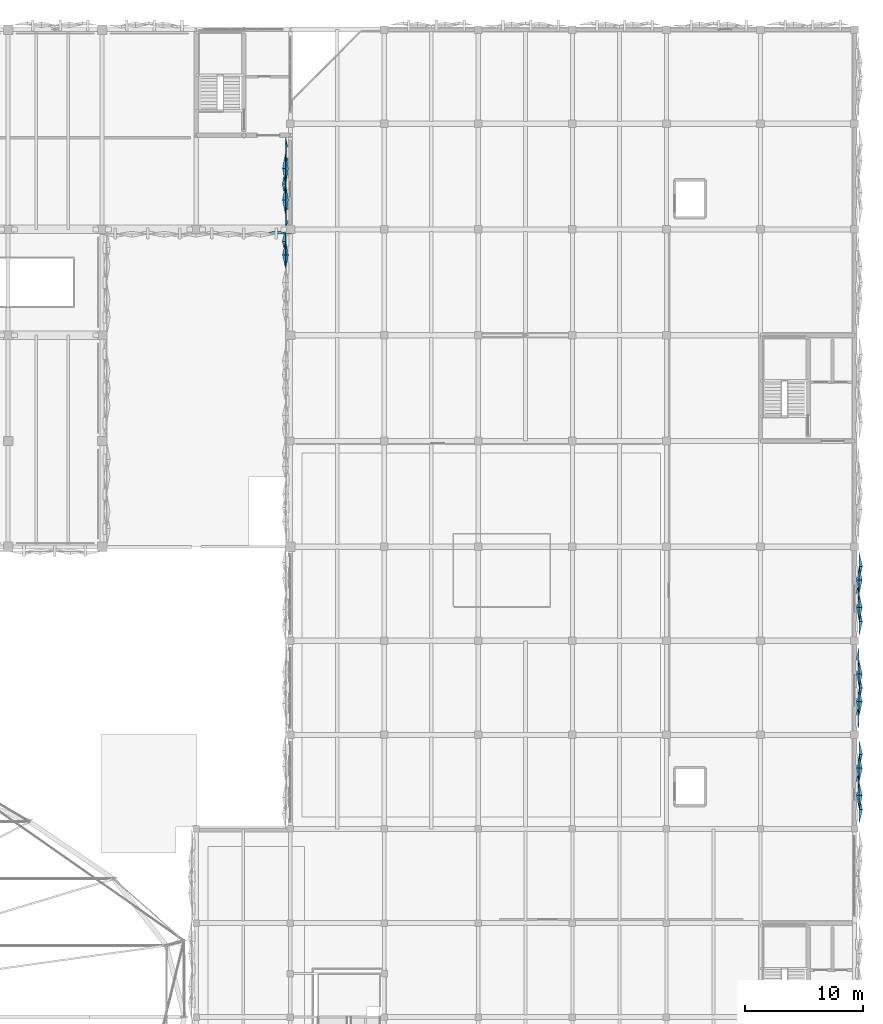
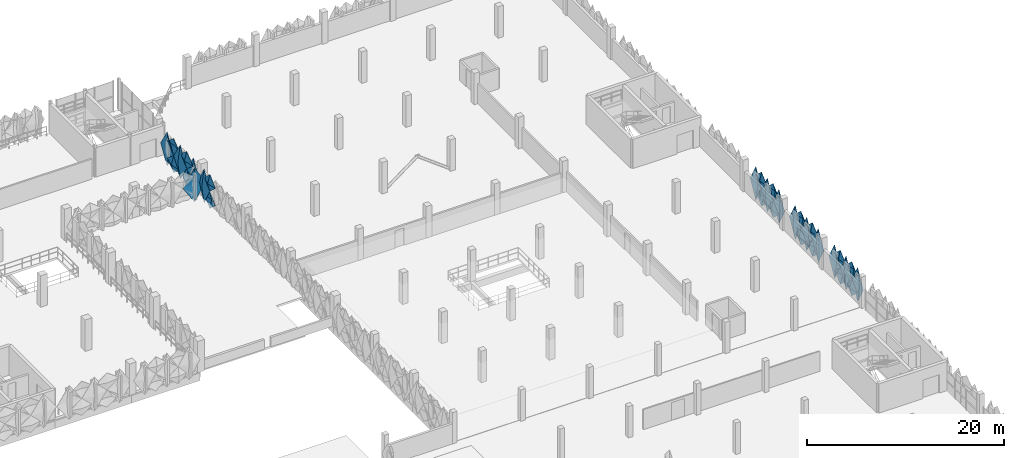
# One storey, part 76 of 96: 32 plates.
"""IFC4 building model written with IfcOpenShell, lengths in metres."""

from ifc_helpers import new_model, si_unit, derived_unit, direction, frame, origin, place, context, subcontext, project, spatial, polygons, material, layer, layer_set, type_object, element, save


model = new_model("IFC4")

# Units and contexts
model_context = context("Model", 3, precision=1e-05, world=origin(), true_north=direction((0.0, 1.0)))
body_context = subcontext(model_context, "Body", "Model", "MODEL_VIEW")
ifc_project = project(units=[si_unit("LENGTHUNIT", "METRE"), si_unit("AREAUNIT", "SQUARE_METRE"), si_unit("VOLUMEUNIT", "CUBIC_METRE"), si_unit("PLANEANGLEUNIT", "RADIAN"), si_unit("MASSUNIT", "GRAM", prefix="KILO"), si_unit("THERMODYNAMICTEMPERATUREUNIT", "KELVIN"), derived_unit("THERMALTRANSMITTANCEUNIT", [(si_unit("POWERUNIT", "WATT"), 1), (si_unit("AREAUNIT", "SQUARE_METRE"), -1), (si_unit("THERMODYNAMICTEMPERATUREUNIT", "KELVIN"), -1)])], contexts=[model_context])

# Site, building, storey
site_placement = place(None, origin())
site = spatial("IfcSite", under=ifc_project, at=site_placement, CompositionType="ELEMENT")
building_placement = place(site_placement, origin())
building = spatial("IfcBuilding", under=site, at=building_placement, Name="Haiyu Intermodal Mobility Hub", CompositionType="ELEMENT")
storey_placement = place(building_placement, frame((0.0, 0.0, 9.5)))
storey = spatial("IfcBuildingStorey", under=building, at=storey_placement, Name="L02", CompositionType="ELEMENT", Elevation=9.5)

# Plates
ifc_material = material(Name="Anodised aluminium 6063-T6", Category="aluminium")
ifc_layer_1 = layer(ifc_material, 0.01806640625)
ifc_layer_set_1 = layer_set([ifc_layer_1], Name="Anodised aluminium 6063-T6")
plate_type_1 = type_object("IfcPlateType", Name="PLT-FC01", PredefinedType="USERDEFINED", material=ifc_layer_set_1)
plate_1_placement = place(storey_placement, origin())
element("IfcPlate", 1, at=plate_1_placement, inside=storey, type_object=plate_type_1, Name="PLT-PYR-1112", ObjectType="FACADE CASSETTE", PredefinedType="USERDEFINED", context=body_context, shape_type="Tessellation", body=[
    polygons([(210.39990234375, 86.346923828125, -0.510009765625), (210.39990234375, 87.5, 1.60009765625), (210.39990234375, 86.346923828125, 3.7099609375), (210.39990234375, 85.193115234375, 1.60009765625), (210.679931640625, 86.346923828125, 1.60009765625), (210.3779296875, 86.346923828125, -0.510009765625), (210.3779296875, 87.5, 1.60009765625), (210.3779296875, 86.346923828125, 3.7099609375), (210.3779296875, 85.193115234375, 1.60009765625), (210.657958984375, 86.346923828125, 1.60009765625)], [[[1, 2, 5]], [[2, 3, 5]], [[3, 4, 5]], [[4, 1, 5]], [[7, 6, 10]], [[8, 7, 10]], [[9, 8, 10]], [[6, 9, 10]], [[1, 6, 7, 2]], [[2, 7, 8, 3]], [[3, 8, 9, 4]], [[4, 9, 6, 1]]], closed=True),
])
plate_2_placement = place(storey_placement, origin())
element("IfcPlate", 2, at=plate_2_placement, inside=storey, type_object=plate_type_1, Name="PLT-PYR-1126", ObjectType="FACADE CASSETTE", PredefinedType="USERDEFINED", context=body_context, shape_type="Tessellation", body=[
    polygons([(210.39990234375, 102.346923828125, -0.510009765625), (210.39990234375, 103.5, 1.60009765625), (210.39990234375, 102.346923828125, 3.7099609375), (210.39990234375, 101.193115234375, 1.60009765625), (210.679931640625, 102.346923828125, 1.60009765625), (210.3779296875, 102.346923828125, -0.510009765625), (210.3779296875, 103.5, 1.60009765625), (210.3779296875, 102.346923828125, 3.7099609375), (210.3779296875, 101.193115234375, 1.60009765625), (210.657958984375, 102.346923828125, 1.60009765625)], [[[1, 2, 5]], [[2, 3, 5]], [[3, 4, 5]], [[4, 1, 5]], [[7, 6, 10]], [[8, 7, 10]], [[9, 8, 10]], [[6, 9, 10]], [[1, 6, 7, 2]], [[2, 7, 8, 3]], [[3, 8, 9, 4]], [[4, 9, 6, 1]]], closed=True),
])
ifc_layer_2 = layer(ifc_material, 0.02001953125)
ifc_layer_set_2 = layer_set([ifc_layer_2], Name="Anodised aluminium 6063-T6")
plate_type_2 = type_object("IfcPlateType", Name="PLT-FC02", PredefinedType="USERDEFINED", material=ifc_layer_set_2)
plate_3_placement = place(storey_placement, origin())
element("IfcPlate", 3, at=plate_3_placement, inside=storey, type_object=plate_type_2, Name="PLT-PYR-1119", ObjectType="FACADE CASSETTE", PredefinedType="USERDEFINED", context=body_context, shape_type="Tessellation", body=[
    polygons([(210.39990234375, 94.346923828125, -0.510009765625), (210.39990234375, 95.5, 1.60009765625), (210.39990234375, 94.346923828125, 3.7099609375), (210.39990234375, 93.193115234375, 1.60009765625), (210.139892578125, 94.346923828125, 1.60009765625), (210.3779296875, 94.346923828125, -0.510009765625), (210.3779296875, 95.5, 1.60009765625), (210.3779296875, 94.346923828125, 3.7099609375), (210.3779296875, 93.193115234375, 1.60009765625), (210.117919921875, 94.346923828125, 1.60009765625)], [[[1, 2, 5]], [[2, 3, 5]], [[3, 4, 5]], [[4, 1, 5]], [[7, 6, 10]], [[8, 7, 10]], [[9, 8, 10]], [[6, 9, 10]], [[1, 6, 7, 2]], [[2, 7, 8, 3]], [[3, 8, 9, 4]], [[4, 9, 6, 1]]], closed=True),
])
plate_4_placement = place(storey_placement, origin())
element("IfcPlate", 4, at=plate_4_placement, inside=storey, type_object=plate_type_2, Name="PLT-PYR-1944", ObjectType="FACADE CASSETTE", PredefinedType="USERDEFINED", context=body_context, shape_type="Tessellation", body=[
    polygons([(161.60009765625, 132.18310546875, -0.510009765625), (161.60009765625, 130.8701171875, 1.60009765625), (161.60009765625, 132.18310546875, 3.7099609375), (161.60009765625, 133.4970703125, 1.60009765625), (161.860107421875, 132.18310546875, 1.60009765625), (161.6220703125, 132.18310546875, -0.510009765625), (161.6220703125, 130.8701171875, 1.60009765625), (161.6220703125, 132.18310546875, 3.7099609375), (161.6220703125, 133.4970703125, 1.60009765625), (161.882080078125, 132.18310546875, 1.60009765625)], [[[1, 2, 5]], [[2, 3, 5]], [[3, 4, 5]], [[4, 1, 5]], [[7, 6, 10]], [[8, 7, 10]], [[9, 8, 10]], [[6, 9, 10]], [[1, 6, 7, 2]], [[2, 7, 8, 3]], [[3, 8, 9, 4]], [[4, 9, 6, 1]]], closed=True),
])
ifc_layer_3 = layer(ifc_material, 0.01806640625)
ifc_layer_set_3 = layer_set([ifc_layer_3], Name="Anodised aluminium 6063-T6")
plate_type_3 = type_object("IfcPlateType", Name="PLT-FC05", PredefinedType="USERDEFINED", material=ifc_layer_set_3)
plate_5_placement = place(storey_placement, origin())
element("IfcPlate", 5, at=plate_5_placement, inside=storey, type_object=plate_type_3, Name="PLT-PYR-1106", ObjectType="FACADE CASSETTE", PredefinedType="USERDEFINED", context=body_context, shape_type="Tessellation", body=[
    polygons([(210.39990234375, 81.653076171875, -0.510009765625), (210.39990234375, 82.806884765625, 1.60009765625), (210.39990234375, 81.653076171875, 3.7099609375), (210.39990234375, 80.5, 1.60009765625), (210.679931640625, 81.653076171875, 1.60009765625), (210.3779296875, 81.653076171875, -0.510009765625), (210.3779296875, 82.806884765625, 1.60009765625), (210.3779296875, 81.653076171875, 3.7099609375), (210.3779296875, 80.5, 1.60009765625), (210.657958984375, 81.653076171875, 1.60009765625)], [[[1, 2, 5]], [[2, 3, 5]], [[3, 4, 5]], [[4, 1, 5]], [[7, 6, 10]], [[8, 7, 10]], [[9, 8, 10]], [[6, 9, 10]], [[1, 6, 7, 2]], [[2, 7, 8, 3]], [[3, 8, 9, 4]], [[4, 9, 6, 1]]], closed=True),
])
plate_6_placement = place(storey_placement, origin())
element("IfcPlate", 6, at=plate_6_placement, inside=storey, type_object=plate_type_3, Name="PLT-PYR-1110", ObjectType="FACADE CASSETTE", PredefinedType="USERDEFINED", context=body_context, shape_type="Tessellation", body=[
    polygons([(210.39990234375, 85.173095703125, -0.52001953125), (210.39990234375, 86.326904296875, 0.530029296875), (210.39990234375, 85.173095703125, 1.580078125), (210.39990234375, 84.02001953125, 0.530029296875), (210.659912109375, 85.173095703125, 0.530029296875), (210.3779296875, 85.173095703125, -0.52001953125), (210.3779296875, 86.326904296875, 0.530029296875), (210.3779296875, 85.173095703125, 1.580078125), (210.3779296875, 84.02001953125, 0.530029296875), (210.637939453125, 85.173095703125, 0.530029296875)], [[[1, 2, 5]], [[2, 3, 5]], [[3, 4, 5]], [[4, 1, 5]], [[7, 6, 10]], [[8, 7, 10]], [[9, 8, 10]], [[6, 9, 10]], [[1, 6, 7, 2]], [[2, 7, 8, 3]], [[3, 8, 9, 4]], [[4, 9, 6, 1]]], closed=True),
])
plate_7_placement = place(storey_placement, origin())
element("IfcPlate", 7, at=plate_7_placement, inside=storey, type_object=plate_type_3, Name="PLT-PYR-1114", ObjectType="FACADE CASSETTE", PredefinedType="USERDEFINED", context=body_context, shape_type="Tessellation", body=[
    polygons([(210.39990234375, 90.826904296875, -0.52001953125), (210.39990234375, 91.97998046875, 0.530029296875), (210.39990234375, 90.826904296875, 1.580078125), (210.39990234375, 89.673095703125, 0.530029296875), (210.659912109375, 90.826904296875, 0.530029296875), (210.3779296875, 90.826904296875, -0.52001953125), (210.3779296875, 91.97998046875, 0.530029296875), (210.3779296875, 90.826904296875, 1.580078125), (210.3779296875, 89.673095703125, 0.530029296875), (210.637939453125, 90.826904296875, 0.530029296875)], [[[1, 2, 5]], [[2, 3, 5]], [[3, 4, 5]], [[4, 1, 5]], [[7, 6, 10]], [[8, 7, 10]], [[9, 8, 10]], [[6, 9, 10]], [[1, 6, 7, 2]], [[2, 7, 8, 3]], [[3, 8, 9, 4]], [[4, 9, 6, 1]]], closed=True),
])
plate_8_placement = place(storey_placement, origin())
element("IfcPlate", 8, at=plate_8_placement, inside=storey, type_object=plate_type_3, Name="PLT-PYR-1120", ObjectType="FACADE CASSETTE", PredefinedType="USERDEFINED", context=body_context, shape_type="Tessellation", body=[
    polygons([(210.39990234375, 97.653076171875, -0.510009765625), (210.39990234375, 98.806884765625, 1.60009765625), (210.39990234375, 97.653076171875, 3.7099609375), (210.39990234375, 96.5, 1.60009765625), (210.679931640625, 97.653076171875, 1.60009765625), (210.3779296875, 97.653076171875, -0.510009765625), (210.3779296875, 98.806884765625, 1.60009765625), (210.3779296875, 97.653076171875, 3.7099609375), (210.3779296875, 96.5, 1.60009765625), (210.657958984375, 97.653076171875, 1.60009765625)], [[[1, 2, 5]], [[2, 3, 5]], [[3, 4, 5]], [[4, 1, 5]], [[7, 6, 10]], [[8, 7, 10]], [[9, 8, 10]], [[6, 9, 10]], [[1, 6, 7, 2]], [[2, 7, 8, 3]], [[3, 8, 9, 4]], [[4, 9, 6, 1]]], closed=True),
])
plate_9_placement = place(storey_placement, origin())
element("IfcPlate", 9, at=plate_9_placement, inside=storey, type_object=plate_type_3, Name="PLT-PYR-1124", ObjectType="FACADE CASSETTE", PredefinedType="USERDEFINED", context=body_context, shape_type="Tessellation", body=[
    polygons([(210.39990234375, 101.173095703125, -0.52001953125), (210.39990234375, 102.326904296875, 0.530029296875), (210.39990234375, 101.173095703125, 1.580078125), (210.39990234375, 100.02001953125, 0.530029296875), (210.659912109375, 101.173095703125, 0.530029296875), (210.3779296875, 101.173095703125, -0.52001953125), (210.3779296875, 102.326904296875, 0.530029296875), (210.3779296875, 101.173095703125, 1.580078125), (210.3779296875, 100.02001953125, 0.530029296875), (210.637939453125, 101.173095703125, 0.530029296875)], [[[1, 2, 5]], [[2, 3, 5]], [[3, 4, 5]], [[4, 1, 5]], [[7, 6, 10]], [[8, 7, 10]], [[9, 8, 10]], [[6, 9, 10]], [[1, 6, 7, 2]], [[2, 7, 8, 3]], [[3, 8, 9, 4]], [[4, 9, 6, 1]]], closed=True),
])
plate_10_placement = place(storey_placement, origin())
element("IfcPlate", 10, at=plate_10_placement, inside=storey, type_object=plate_type_3, Name="PLT-PYR-1928", ObjectType="FACADE CASSETTE", PredefinedType="USERDEFINED", context=body_context, shape_type="Tessellation", body=[
    polygons([(161.60009765625, 129.988037109375, -0.510009765625), (161.60009765625, 128.844970703125, 1.60009765625), (161.60009765625, 129.988037109375, 3.7099609375), (161.60009765625, 131.1298828125, 1.60009765625), (161.320068359375, 129.988037109375, 1.60009765625), (161.6220703125, 129.988037109375, -0.510009765625), (161.6220703125, 128.844970703125, 1.60009765625), (161.6220703125, 129.988037109375, 3.7099609375), (161.6220703125, 131.1298828125, 1.60009765625), (161.342041015625, 129.988037109375, 1.60009765625)], [[[1, 2, 5]], [[2, 3, 5]], [[3, 4, 5]], [[4, 1, 5]], [[7, 6, 10]], [[8, 7, 10]], [[9, 8, 10]], [[6, 9, 10]], [[1, 6, 7, 2]], [[2, 7, 8, 3]], [[3, 8, 9, 4]], [[4, 9, 6, 1]]], closed=True),
])
plate_11_placement = place(storey_placement, origin())
element("IfcPlate", 11, at=plate_11_placement, inside=storey, type_object=plate_type_3, Name="PLT-PYR-1939", ObjectType="FACADE CASSETTE", PredefinedType="USERDEFINED", context=body_context, shape_type="Tessellation", body=[
    polygons([(161.60009765625, 136.18310546875, -0.52001953125), (161.60009765625, 134.8701171875, 0.530029296875), (161.60009765625, 136.18310546875, 1.580078125), (161.60009765625, 137.4970703125, 0.530029296875), (161.340087890625, 136.18310546875, 0.530029296875), (161.6220703125, 136.18310546875, -0.52001953125), (161.6220703125, 134.8701171875, 0.530029296875), (161.6220703125, 136.18310546875, 1.580078125), (161.6220703125, 137.4970703125, 0.530029296875), (161.362060546875, 136.18310546875, 0.530029296875)], [[[1, 2, 5]], [[2, 3, 5]], [[3, 4, 5]], [[4, 1, 5]], [[7, 6, 10]], [[8, 7, 10]], [[9, 8, 10]], [[6, 9, 10]], [[1, 6, 7, 2]], [[2, 7, 8, 3]], [[3, 8, 9, 4]], [[4, 9, 6, 1]]], closed=True),
])
ifc_layer_4 = layer(ifc_material, 0.02001953125)
ifc_layer_set_4 = layer_set([ifc_layer_4], Name="Anodised aluminium 6063-T6")
plate_type_4 = type_object("IfcPlateType", Name="PLT-FC06", PredefinedType="USERDEFINED", material=ifc_layer_set_4)
plate_12_placement = place(storey_placement, origin())
element("IfcPlate", 12, at=plate_12_placement, inside=storey, type_object=plate_type_4, Name="PLT-PYR-1107", ObjectType="FACADE CASSETTE", PredefinedType="USERDEFINED", context=body_context, shape_type="Tessellation", body=[
    polygons([(210.39990234375, 82.826904296875, -0.52001953125), (210.39990234375, 83.97998046875, 0.530029296875), (210.39990234375, 82.826904296875, 1.580078125), (210.39990234375, 81.673095703125, 0.530029296875), (210.179931640625, 82.826904296875, 0.530029296875), (210.3779296875, 82.826904296875, -0.52001953125), (210.3779296875, 83.97998046875, 0.530029296875), (210.3779296875, 82.826904296875, 1.580078125), (210.3779296875, 81.673095703125, 0.530029296875), (210.157958984375, 82.826904296875, 0.530029296875)], [[[1, 2, 5]], [[2, 3, 5]], [[3, 4, 5]], [[4, 1, 5]], [[7, 6, 10]], [[8, 7, 10]], [[9, 8, 10]], [[6, 9, 10]], [[1, 6, 7, 2]], [[2, 7, 8, 3]], [[3, 8, 9, 4]], [[4, 9, 6, 1]]], closed=True),
])
plate_13_placement = place(storey_placement, origin())
element("IfcPlate", 13, at=plate_13_placement, inside=storey, type_object=plate_type_4, Name="PLT-PYR-1113", ObjectType="FACADE CASSETTE", PredefinedType="USERDEFINED", context=body_context, shape_type="Tessellation", body=[
    polygons([(210.39990234375, 89.653076171875, -0.510009765625), (210.39990234375, 90.806884765625, 1.60009765625), (210.39990234375, 89.653076171875, 3.7099609375), (210.39990234375, 88.5, 1.60009765625), (210.139892578125, 89.653076171875, 1.60009765625), (210.3779296875, 89.653076171875, -0.510009765625), (210.3779296875, 90.806884765625, 1.60009765625), (210.3779296875, 89.653076171875, 3.7099609375), (210.3779296875, 88.5, 1.60009765625), (210.117919921875, 89.653076171875, 1.60009765625)], [[[1, 2, 5]], [[2, 3, 5]], [[3, 4, 5]], [[4, 1, 5]], [[7, 6, 10]], [[8, 7, 10]], [[9, 8, 10]], [[6, 9, 10]], [[1, 6, 7, 2]], [[2, 7, 8, 3]], [[3, 8, 9, 4]], [[4, 9, 6, 1]]], closed=True),
])
plate_14_placement = place(storey_placement, origin())
element("IfcPlate", 14, at=plate_14_placement, inside=storey, type_object=plate_type_4, Name="PLT-PYR-1117", ObjectType="FACADE CASSETTE", PredefinedType="USERDEFINED", context=body_context, shape_type="Tessellation", body=[
    polygons([(210.39990234375, 93.173095703125, -0.52001953125), (210.39990234375, 94.326904296875, 0.530029296875), (210.39990234375, 93.173095703125, 1.580078125), (210.39990234375, 92.02001953125, 0.530029296875), (210.179931640625, 93.173095703125, 0.530029296875), (210.3779296875, 93.173095703125, -0.52001953125), (210.3779296875, 94.326904296875, 0.530029296875), (210.3779296875, 93.173095703125, 1.580078125), (210.3779296875, 92.02001953125, 0.530029296875), (210.157958984375, 93.173095703125, 0.530029296875)], [[[1, 2, 5]], [[2, 3, 5]], [[3, 4, 5]], [[4, 1, 5]], [[7, 6, 10]], [[8, 7, 10]], [[9, 8, 10]], [[6, 9, 10]], [[1, 6, 7, 2]], [[2, 7, 8, 3]], [[3, 8, 9, 4]], [[4, 9, 6, 1]]], closed=True),
])
plate_15_placement = place(storey_placement, origin())
element("IfcPlate", 15, at=plate_15_placement, inside=storey, type_object=plate_type_4, Name="PLT-PYR-1121", ObjectType="FACADE CASSETTE", PredefinedType="USERDEFINED", context=body_context, shape_type="Tessellation", body=[
    polygons([(210.39990234375, 98.826904296875, -0.52001953125), (210.39990234375, 99.97998046875, 0.530029296875), (210.39990234375, 98.826904296875, 1.580078125), (210.39990234375, 97.673095703125, 0.530029296875), (210.179931640625, 98.826904296875, 0.530029296875), (210.3779296875, 98.826904296875, -0.52001953125), (210.3779296875, 99.97998046875, 0.530029296875), (210.3779296875, 98.826904296875, 1.580078125), (210.3779296875, 97.673095703125, 0.530029296875), (210.157958984375, 98.826904296875, 0.530029296875)], [[[1, 2, 5]], [[2, 3, 5]], [[3, 4, 5]], [[4, 1, 5]], [[7, 6, 10]], [[8, 7, 10]], [[9, 8, 10]], [[6, 9, 10]], [[1, 6, 7, 2]], [[2, 7, 8, 3]], [[3, 8, 9, 4]], [[4, 9, 6, 1]]], closed=True),
])
plate_16_placement = place(storey_placement, origin())
element("IfcPlate", 16, at=plate_16_placement, inside=storey, type_object=plate_type_4, Name="PLT-PYR-1929", ObjectType="FACADE CASSETTE", PredefinedType="USERDEFINED", context=body_context, shape_type="Tessellation", body=[
    polygons([(161.60009765625, 128.824951171875, -0.52001953125), (161.60009765625, 127.681884765625, 0.530029296875), (161.60009765625, 128.824951171875, 1.580078125), (161.60009765625, 129.968017578125, 0.530029296875), (161.820068359375, 128.824951171875, 0.530029296875), (161.6220703125, 128.824951171875, -0.52001953125), (161.6220703125, 127.681884765625, 0.530029296875), (161.6220703125, 128.824951171875, 1.580078125), (161.6220703125, 129.968017578125, 0.530029296875), (161.842041015625, 128.824951171875, 0.530029296875)], [[[1, 2, 5]], [[2, 3, 5]], [[3, 4, 5]], [[4, 1, 5]], [[7, 6, 10]], [[8, 7, 10]], [[9, 8, 10]], [[6, 9, 10]], [[1, 6, 7, 2]], [[2, 7, 8, 3]], [[3, 8, 9, 4]], [[4, 9, 6, 1]]], closed=True),
])
plate_17_placement = place(storey_placement, origin())
element("IfcPlate", 17, at=plate_17_placement, inside=storey, type_object=plate_type_4, Name="PLT-PYR-1938", ObjectType="FACADE CASSETTE", PredefinedType="USERDEFINED", context=body_context, shape_type="Tessellation", body=[
    polygons([(161.60009765625, 137.51708984375, -0.510009765625), (161.60009765625, 136.202880859375, 1.60009765625), (161.60009765625, 137.51708984375, 3.7099609375), (161.60009765625, 138.830078125, 1.60009765625), (161.860107421875, 137.51708984375, 1.60009765625), (161.6220703125, 137.51708984375, -0.510009765625), (161.6220703125, 136.202880859375, 1.60009765625), (161.6220703125, 137.51708984375, 3.7099609375), (161.6220703125, 138.830078125, 1.60009765625), (161.882080078125, 137.51708984375, 1.60009765625)], [[[1, 2, 5]], [[2, 3, 5]], [[3, 4, 5]], [[4, 1, 5]], [[7, 6, 10]], [[8, 7, 10]], [[9, 8, 10]], [[6, 9, 10]], [[1, 6, 7, 2]], [[2, 7, 8, 3]], [[3, 8, 9, 4]], [[4, 9, 6, 1]]], closed=True),
])
plate_18_placement = place(storey_placement, origin())
element("IfcPlate", 18, at=plate_18_placement, inside=storey, type_object=plate_type_4, Name="PLT-PYR-1942", ObjectType="FACADE CASSETTE", PredefinedType="USERDEFINED", context=body_context, shape_type="Tessellation", body=[
    polygons([(161.60009765625, 133.51708984375, -0.52001953125), (161.60009765625, 132.202880859375, 0.530029296875), (161.60009765625, 133.51708984375, 1.580078125), (161.60009765625, 134.830078125, 0.530029296875), (161.820068359375, 133.51708984375, 0.530029296875), (161.6220703125, 133.51708984375, -0.52001953125), (161.6220703125, 132.202880859375, 0.530029296875), (161.6220703125, 133.51708984375, 1.580078125), (161.6220703125, 134.830078125, 0.530029296875), (161.842041015625, 133.51708984375, 0.530029296875)], [[[1, 2, 5]], [[2, 3, 5]], [[3, 4, 5]], [[4, 1, 5]], [[7, 6, 10]], [[8, 7, 10]], [[9, 8, 10]], [[6, 9, 10]], [[1, 6, 7, 2]], [[2, 7, 8, 3]], [[3, 8, 9, 4]], [[4, 9, 6, 1]]], closed=True),
])
ifc_layer_5 = layer(ifc_material, 0.02197265625)
ifc_layer_set_5 = layer_set([ifc_layer_5], Name="Anodised aluminium 6063-T6")
plate_type_5 = type_object("IfcPlateType", Name="PLT-FC07", PredefinedType="USERDEFINED", material=ifc_layer_set_5)
plate_19_placement = place(storey_placement, origin())
element("IfcPlate", 19, at=plate_19_placement, inside=storey, type_object=plate_type_5, Name="PLT-PYR-1108", ObjectType="FACADE CASSETTE", PredefinedType="USERDEFINED", context=body_context, shape_type="Tessellation", body=[
    polygons([(210.39990234375, 82.826904296875, 1.6201171875), (210.39990234375, 83.97998046875, 2.669921875), (210.39990234375, 82.826904296875, 3.719970703125), (210.39990234375, 81.673095703125, 2.669921875), (210.659912109375, 82.826904296875, 2.669921875), (210.3779296875, 82.826904296875, 1.6201171875), (210.3779296875, 83.97998046875, 2.669921875), (210.3779296875, 82.826904296875, 3.719970703125), (210.3779296875, 81.673095703125, 2.669921875), (210.637939453125, 82.826904296875, 2.669921875)], [[[1, 2, 5]], [[2, 3, 5]], [[3, 4, 5]], [[4, 1, 5]], [[7, 6, 10]], [[8, 7, 10]], [[9, 8, 10]], [[6, 9, 10]], [[1, 6, 7, 2]], [[2, 7, 8, 3]], [[3, 8, 9, 4]], [[4, 9, 6, 1]]], closed=True),
])
plate_20_placement = place(storey_placement, origin())
element("IfcPlate", 20, at=plate_20_placement, inside=storey, type_object=plate_type_5, Name="PLT-PYR-1116", ObjectType="FACADE CASSETTE", PredefinedType="USERDEFINED", context=body_context, shape_type="Tessellation", body=[
    polygons([(210.39990234375, 92.0, -0.510009765625), (210.39990234375, 93.153076171875, 1.60009765625), (210.39990234375, 92.0, 3.7099609375), (210.39990234375, 90.846923828125, 1.60009765625), (210.679931640625, 92.0, 1.60009765625), (210.3779296875, 92.0, -0.510009765625), (210.3779296875, 93.153076171875, 1.60009765625), (210.3779296875, 92.0, 3.7099609375), (210.3779296875, 90.846923828125, 1.60009765625), (210.657958984375, 92.0, 1.60009765625)], [[[1, 2, 5]], [[2, 3, 5]], [[3, 4, 5]], [[4, 1, 5]], [[7, 6, 10]], [[8, 7, 10]], [[9, 8, 10]], [[6, 9, 10]], [[1, 6, 7, 2]], [[2, 7, 8, 3]], [[3, 8, 9, 4]], [[4, 9, 6, 1]]], closed=True),
])
plate_21_placement = place(storey_placement, origin())
element("IfcPlate", 21, at=plate_21_placement, inside=storey, type_object=plate_type_5, Name="PLT-PYR-1118", ObjectType="FACADE CASSETTE", PredefinedType="USERDEFINED", context=body_context, shape_type="Tessellation", body=[
    polygons([(210.39990234375, 93.173095703125, 1.6201171875), (210.39990234375, 94.326904296875, 2.669921875), (210.39990234375, 93.173095703125, 3.719970703125), (210.39990234375, 92.02001953125, 2.669921875), (210.659912109375, 93.173095703125, 2.669921875), (210.3779296875, 93.173095703125, 1.6201171875), (210.3779296875, 94.326904296875, 2.669921875), (210.3779296875, 93.173095703125, 3.719970703125), (210.3779296875, 92.02001953125, 2.669921875), (210.637939453125, 93.173095703125, 2.669921875)], [[[1, 2, 5]], [[2, 3, 5]], [[3, 4, 5]], [[4, 1, 5]], [[7, 6, 10]], [[8, 7, 10]], [[9, 8, 10]], [[6, 9, 10]], [[1, 6, 7, 2]], [[2, 7, 8, 3]], [[3, 8, 9, 4]], [[4, 9, 6, 1]]], closed=True),
])
plate_22_placement = place(storey_placement, origin())
element("IfcPlate", 22, at=plate_22_placement, inside=storey, type_object=plate_type_5, Name="PLT-PYR-1122", ObjectType="FACADE CASSETTE", PredefinedType="USERDEFINED", context=body_context, shape_type="Tessellation", body=[
    polygons([(210.39990234375, 98.826904296875, 1.6201171875), (210.39990234375, 99.97998046875, 2.669921875), (210.39990234375, 98.826904296875, 3.719970703125), (210.39990234375, 97.673095703125, 2.669921875), (210.659912109375, 98.826904296875, 2.669921875), (210.3779296875, 98.826904296875, 1.6201171875), (210.3779296875, 99.97998046875, 2.669921875), (210.3779296875, 98.826904296875, 3.719970703125), (210.3779296875, 97.673095703125, 2.669921875), (210.637939453125, 98.826904296875, 2.669921875)], [[[1, 2, 5]], [[2, 3, 5]], [[3, 4, 5]], [[4, 1, 5]], [[7, 6, 10]], [[8, 7, 10]], [[9, 8, 10]], [[6, 9, 10]], [[1, 6, 7, 2]], [[2, 7, 8, 3]], [[3, 8, 9, 4]], [[4, 9, 6, 1]]], closed=True),
])
plate_23_placement = place(storey_placement, origin())
element("IfcPlate", 23, at=plate_23_placement, inside=storey, type_object=plate_type_5, Name="PLT-PYR-1930", ObjectType="FACADE CASSETTE", PredefinedType="USERDEFINED", context=body_context, shape_type="Tessellation", body=[
    polygons([(161.60009765625, 128.824951171875, 1.6201171875), (161.60009765625, 127.681884765625, 2.669921875), (161.60009765625, 128.824951171875, 3.719970703125), (161.60009765625, 129.968017578125, 2.669921875), (161.340087890625, 128.824951171875, 2.669921875), (161.6220703125, 128.824951171875, 1.6201171875), (161.6220703125, 127.681884765625, 2.669921875), (161.6220703125, 128.824951171875, 3.719970703125), (161.6220703125, 129.968017578125, 2.669921875), (161.362060546875, 128.824951171875, 2.669921875)], [[[1, 2, 5]], [[2, 3, 5]], [[3, 4, 5]], [[4, 1, 5]], [[7, 6, 10]], [[8, 7, 10]], [[9, 8, 10]], [[6, 9, 10]], [[1, 6, 7, 2]], [[2, 7, 8, 3]], [[3, 8, 9, 4]], [[4, 9, 6, 1]]], closed=True),
])
plate_24_placement = place(storey_placement, origin())
element("IfcPlate", 24, at=plate_24_placement, inside=storey, type_object=plate_type_5, Name="PLT-PYR-1941", ObjectType="FACADE CASSETTE", PredefinedType="USERDEFINED", context=body_context, shape_type="Tessellation", body=[
    polygons([(161.60009765625, 134.85009765625, -0.510009765625), (161.60009765625, 133.537109375, 1.60009765625), (161.60009765625, 134.85009765625, 3.7099609375), (161.60009765625, 136.1630859375, 1.60009765625), (161.320068359375, 134.85009765625, 1.60009765625), (161.6220703125, 134.85009765625, -0.510009765625), (161.6220703125, 133.537109375, 1.60009765625), (161.6220703125, 134.85009765625, 3.7099609375), (161.6220703125, 136.1630859375, 1.60009765625), (161.342041015625, 134.85009765625, 1.60009765625)], [[[1, 2, 5]], [[2, 3, 5]], [[3, 4, 5]], [[4, 1, 5]], [[7, 6, 10]], [[8, 7, 10]], [[9, 8, 10]], [[6, 9, 10]], [[1, 6, 7, 2]], [[2, 7, 8, 3]], [[3, 8, 9, 4]], [[4, 9, 6, 1]]], closed=True),
])
plate_25_placement = place(storey_placement, origin())
element("IfcPlate", 25, at=plate_25_placement, inside=storey, type_object=plate_type_5, Name="PLT-PYR-1943", ObjectType="FACADE CASSETTE", PredefinedType="USERDEFINED", context=body_context, shape_type="Tessellation", body=[
    polygons([(161.60009765625, 133.51708984375, 1.6201171875), (161.60009765625, 132.202880859375, 2.669921875), (161.60009765625, 133.51708984375, 3.719970703125), (161.60009765625, 134.830078125, 2.669921875), (161.340087890625, 133.51708984375, 2.669921875), (161.6220703125, 133.51708984375, 1.6201171875), (161.6220703125, 132.202880859375, 2.669921875), (161.6220703125, 133.51708984375, 3.719970703125), (161.6220703125, 134.830078125, 2.669921875), (161.362060546875, 133.51708984375, 2.669921875)], [[[1, 2, 5]], [[2, 3, 5]], [[3, 4, 5]], [[4, 1, 5]], [[7, 6, 10]], [[8, 7, 10]], [[9, 8, 10]], [[6, 9, 10]], [[1, 6, 7, 2]], [[2, 7, 8, 3]], [[3, 8, 9, 4]], [[4, 9, 6, 1]]], closed=True),
])
ifc_layer_6 = layer(ifc_material, 0.02392578125)
ifc_layer_set_6 = layer_set([ifc_layer_6], Name="Anodised aluminium 6063-T6")
plate_type_6 = type_object("IfcPlateType", Name="PLT-FC08", PredefinedType="USERDEFINED", material=ifc_layer_set_6)
plate_26_placement = place(storey_placement, origin())
element("IfcPlate", 26, at=plate_26_placement, inside=storey, type_object=plate_type_6, Name="PLT-PYR-1109", ObjectType="FACADE CASSETTE", PredefinedType="USERDEFINED", context=body_context, shape_type="Tessellation", body=[
    polygons([(210.39990234375, 84.0, -0.510009765625), (210.39990234375, 85.153076171875, 1.60009765625), (210.39990234375, 84.0, 3.7099609375), (210.39990234375, 82.846923828125, 1.60009765625), (210.139892578125, 84.0, 1.60009765625), (210.3779296875, 84.0, -0.510009765625), (210.3779296875, 85.153076171875, 1.60009765625), (210.3779296875, 84.0, 3.7099609375), (210.3779296875, 82.846923828125, 1.60009765625), (210.117919921875, 84.0, 1.60009765625)], [[[1, 2, 5]], [[2, 3, 5]], [[3, 4, 5]], [[4, 1, 5]], [[7, 6, 10]], [[8, 7, 10]], [[9, 8, 10]], [[6, 9, 10]], [[1, 6, 7, 2]], [[2, 7, 8, 3]], [[3, 8, 9, 4]], [[4, 9, 6, 1]]], closed=True),
])
plate_27_placement = place(storey_placement, origin())
element("IfcPlate", 27, at=plate_27_placement, inside=storey, type_object=plate_type_6, Name="PLT-PYR-1111", ObjectType="FACADE CASSETTE", PredefinedType="USERDEFINED", context=body_context, shape_type="Tessellation", body=[
    polygons([(210.39990234375, 85.173095703125, 1.6201171875), (210.39990234375, 86.326904296875, 2.669921875), (210.39990234375, 85.173095703125, 3.719970703125), (210.39990234375, 84.02001953125, 2.669921875), (210.179931640625, 85.173095703125, 2.669921875), (210.3779296875, 85.173095703125, 1.6201171875), (210.3779296875, 86.326904296875, 2.669921875), (210.3779296875, 85.173095703125, 3.719970703125), (210.3779296875, 84.02001953125, 2.669921875), (210.157958984375, 85.173095703125, 2.669921875)], [[[1, 2, 5]], [[2, 3, 5]], [[3, 4, 5]], [[4, 1, 5]], [[7, 6, 10]], [[8, 7, 10]], [[9, 8, 10]], [[6, 9, 10]], [[1, 6, 7, 2]], [[2, 7, 8, 3]], [[3, 8, 9, 4]], [[4, 9, 6, 1]]], closed=True),
])
plate_28_placement = place(storey_placement, origin())
element("IfcPlate", 28, at=plate_28_placement, inside=storey, type_object=plate_type_6, Name="PLT-PYR-1115", ObjectType="FACADE CASSETTE", PredefinedType="USERDEFINED", context=body_context, shape_type="Tessellation", body=[
    polygons([(210.39990234375, 90.826904296875, 1.6201171875), (210.39990234375, 91.97998046875, 2.669921875), (210.39990234375, 90.826904296875, 3.719970703125), (210.39990234375, 89.673095703125, 2.669921875), (210.179931640625, 90.826904296875, 2.669921875), (210.3779296875, 90.826904296875, 1.6201171875), (210.3779296875, 91.97998046875, 2.669921875), (210.3779296875, 90.826904296875, 3.719970703125), (210.3779296875, 89.673095703125, 2.669921875), (210.157958984375, 90.826904296875, 2.669921875)], [[[1, 2, 5]], [[2, 3, 5]], [[3, 4, 5]], [[4, 1, 5]], [[7, 6, 10]], [[8, 7, 10]], [[9, 8, 10]], [[6, 9, 10]], [[1, 6, 7, 2]], [[2, 7, 8, 3]], [[3, 8, 9, 4]], [[4, 9, 6, 1]]], closed=True),
])
plate_29_placement = place(storey_placement, origin())
element("IfcPlate", 29, at=plate_29_placement, inside=storey, type_object=plate_type_6, Name="PLT-PYR-1123", ObjectType="FACADE CASSETTE", PredefinedType="USERDEFINED", context=body_context, shape_type="Tessellation", body=[
    polygons([(210.39990234375, 100.0, -0.510009765625), (210.39990234375, 101.153076171875, 1.60009765625), (210.39990234375, 100.0, 3.7099609375), (210.39990234375, 98.846923828125, 1.60009765625), (210.139892578125, 100.0, 1.60009765625), (210.3779296875, 100.0, -0.510009765625), (210.3779296875, 101.153076171875, 1.60009765625), (210.3779296875, 100.0, 3.7099609375), (210.3779296875, 98.846923828125, 1.60009765625), (210.117919921875, 100.0, 1.60009765625)], [[[1, 2, 5]], [[2, 3, 5]], [[3, 4, 5]], [[4, 1, 5]], [[7, 6, 10]], [[8, 7, 10]], [[9, 8, 10]], [[6, 9, 10]], [[1, 6, 7, 2]], [[2, 7, 8, 3]], [[3, 8, 9, 4]], [[4, 9, 6, 1]]], closed=True),
])
plate_30_placement = place(storey_placement, origin())
element("IfcPlate", 30, at=plate_30_placement, inside=storey, type_object=plate_type_6, Name="PLT-PYR-1125", ObjectType="FACADE CASSETTE", PredefinedType="USERDEFINED", context=body_context, shape_type="Tessellation", body=[
    polygons([(210.39990234375, 101.173095703125, 1.6201171875), (210.39990234375, 102.326904296875, 2.669921875), (210.39990234375, 101.173095703125, 3.719970703125), (210.39990234375, 100.02001953125, 2.669921875), (210.179931640625, 101.173095703125, 2.669921875), (210.3779296875, 101.173095703125, 1.6201171875), (210.3779296875, 102.326904296875, 2.669921875), (210.3779296875, 101.173095703125, 3.719970703125), (210.3779296875, 100.02001953125, 2.669921875), (210.157958984375, 101.173095703125, 2.669921875)], [[[1, 2, 5]], [[2, 3, 5]], [[3, 4, 5]], [[4, 1, 5]], [[7, 6, 10]], [[8, 7, 10]], [[9, 8, 10]], [[6, 9, 10]], [[1, 6, 7, 2]], [[2, 7, 8, 3]], [[3, 8, 9, 4]], [[4, 9, 6, 1]]], closed=True),
])
plate_31_placement = place(storey_placement, origin())
element("IfcPlate", 31, at=plate_31_placement, inside=storey, type_object=plate_type_6, Name="PLT-PYR-1940", ObjectType="FACADE CASSETTE", PredefinedType="USERDEFINED", context=body_context, shape_type="Tessellation", body=[
    polygons([(161.60009765625, 136.18310546875, 1.6201171875), (161.60009765625, 134.8701171875, 2.669921875), (161.60009765625, 136.18310546875, 3.719970703125), (161.60009765625, 137.4970703125, 2.669921875), (161.820068359375, 136.18310546875, 2.669921875), (161.6220703125, 136.18310546875, 1.6201171875), (161.6220703125, 134.8701171875, 2.669921875), (161.6220703125, 136.18310546875, 3.719970703125), (161.6220703125, 137.4970703125, 2.669921875), (161.842041015625, 136.18310546875, 2.669921875)], [[[1, 2, 5]], [[2, 3, 5]], [[3, 4, 5]], [[4, 1, 5]], [[7, 6, 10]], [[8, 7, 10]], [[9, 8, 10]], [[6, 9, 10]], [[1, 6, 7, 2]], [[2, 7, 8, 3]], [[3, 8, 9, 4]], [[4, 9, 6, 1]]], closed=True),
])
plate_32_placement = place(storey_placement, origin())
element("IfcPlate", 32, at=plate_32_placement, inside=storey, type_object=plate_type_6, Name="PLT-PYR-2354", ObjectType="FACADE CASSETTE", PredefinedType="USERDEFINED", context=body_context, shape_type="Tessellation", body=[
    polygons([(160.8330078125, 130.60009765625, -0.510009765625), (162.179931640625, 130.60009765625, 1.60009765625), (160.8330078125, 130.60009765625, 3.7099609375), (159.487060546875, 130.60009765625, 1.60009765625), (160.8330078125, 130.860107421875, 1.60009765625), (160.8330078125, 130.6220703125, -0.510009765625), (162.179931640625, 130.6220703125, 1.60009765625), (160.8330078125, 130.6220703125, 3.7099609375), (159.487060546875, 130.6220703125, 1.60009765625), (160.8330078125, 130.882080078125, 1.60009765625)], [[[1, 2, 5]], [[2, 3, 5]], [[3, 4, 5]], [[4, 1, 5]], [[7, 6, 10]], [[8, 7, 10]], [[9, 8, 10]], [[6, 9, 10]], [[1, 6, 7, 2]], [[2, 7, 8, 3]], [[3, 8, 9, 4]], [[4, 9, 6, 1]]], closed=True),
])

save(model, "model.ifc")
